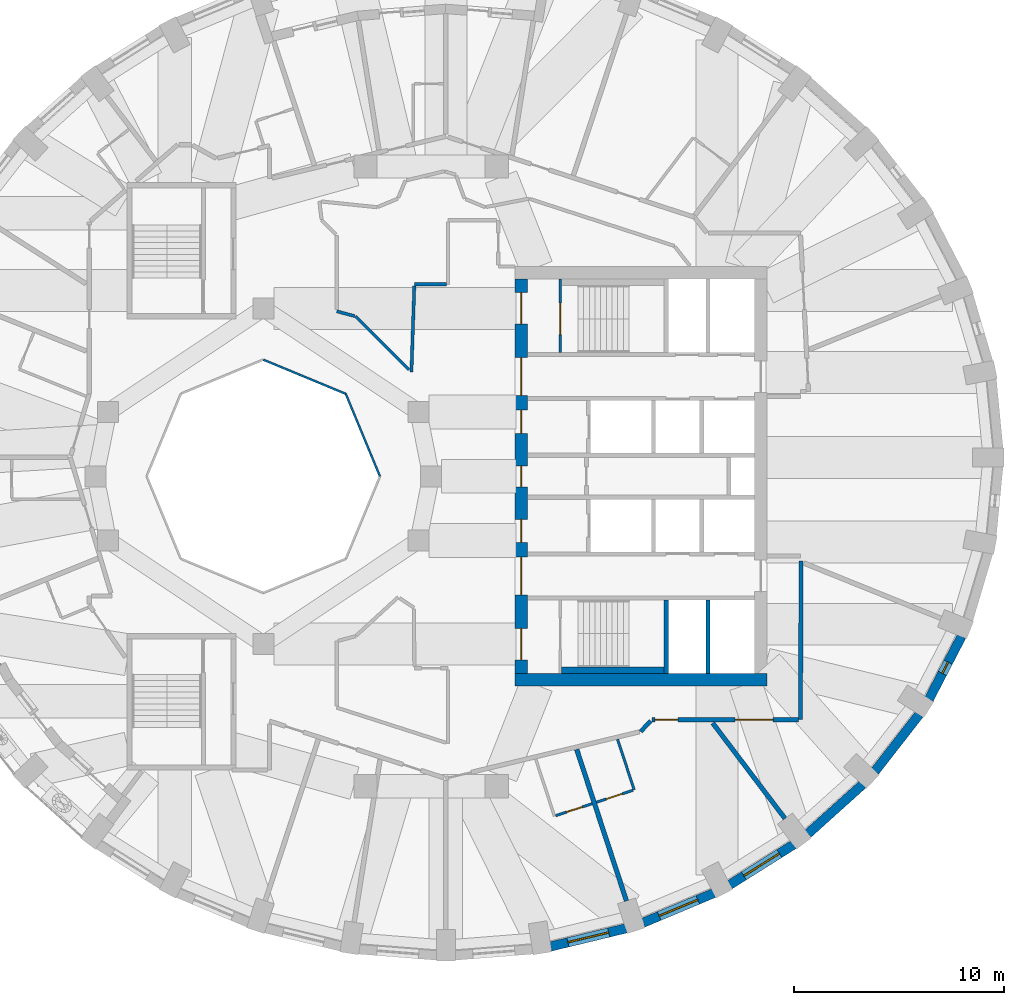
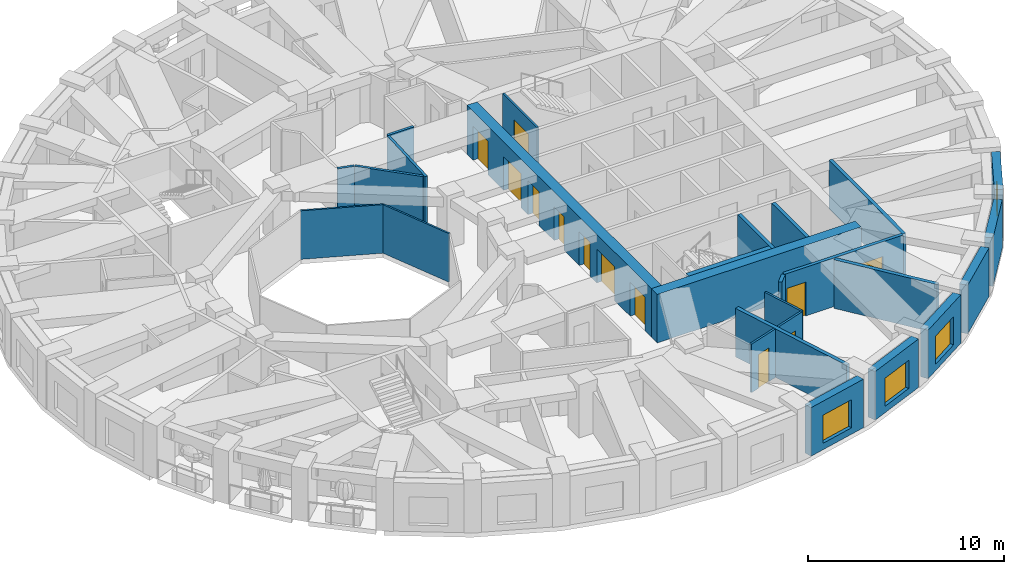
# One storey, part 5 of 12: 26 walls, 12 doors, 4 windows, 16 openings.
"""IFC4 building model written with IfcOpenShell, lengths in metres."""

from ifc_helpers import new_model, si_unit, direction, frame, frame_2d, origin, place, context, subcontext, project, spatial, rectangle, extrude, material, layer, layer_set, type_object, element, fill, save


model = new_model("IFC4")

# Units and contexts
model_context = context("Model", 3, precision=1e-05, world=origin(), true_north=direction((0.0, 1.0)))
body_context = subcontext(model_context, "Body", "Model", "MODEL_VIEW")
ifc_project = project(units=[si_unit("LENGTHUNIT", "METRE"), si_unit("AREAUNIT", "SQUARE_METRE"), si_unit("VOLUMEUNIT", "CUBIC_METRE"), si_unit("PLANEANGLEUNIT", "RADIAN"), si_unit("MASSUNIT", "GRAM", prefix="KILO")], contexts=[model_context])

# Site, building, storey
site_placement = place(None, origin())
site = spatial("IfcSite", under=ifc_project, at=site_placement, CompositionType="ELEMENT")
building_placement = place(site_placement, origin())
building = spatial("IfcBuilding", under=site, at=building_placement, Name="Taillehof Tower", CompositionType="ELEMENT")
storey_placement = place(building_placement, frame((0.0, 0.0, 222.199951171875)))
storey = spatial("IfcBuildingStorey", under=building, at=storey_placement, Name="L63", CompositionType="ELEMENT", Elevation=222.199951171875)

# Walls
ifc_material_1 = material(Name="Fire-resisting glass in steel frame", Category="steel")
ifc_layer_1 = layer(ifc_material_1, 0.10009765625)
ifc_layer_set_1 = layer_set([ifc_layer_1], Name="Atrium fire-resisting screen EI 60 100")
wall_type_1 = type_object("IfcWallType", Name="Atrium fire-resisting screen EI 60 100", PredefinedType="PARTITIONING", material=ifc_layer_set_1)
for number, where, z_axis, x_axis, name in (
    (1, (-8.0, 5.55419921875, 0.0), (0.0, 0.0, 1.0), (0.923860025149, -0.382730523909, 0.0), "Atrium screen"),
    (2, (-4.07275390625, 3.92724609375, 0.0), (0.0, 0.0, 1.0), (0.382730523909, -0.923860025149, 0.0), "Atrium screen"),
):
    element("IfcWall", number, at=place(storey_placement, frame(where, z_axis=z_axis, x_axis=x_axis)), inside=storey, type_object=wall_type_1, Name=name, PredefinedType="PARTITIONING", context=body_context, shape_type="SweptSolid", body=[
        extrude(rectangle(XDim=4.2509765625, YDim=0.10009765625, at=frame_2d((2.12548828125, 0.0))), origin(), (0.0, 0.0, 1.0), 3.02001953125),
    ])

# Wall, opening, window
ifc_material_2 = material(Name="Brick masonry", Category="masonry")
ifc_layer_2 = layer(ifc_material_2, 0.449951171875)
ifc_layer_set_2 = layer_set([ifc_layer_2], Name="Brick infill wall 450")
wall_type_2 = type_object("IfcWallType", Name="Brick infill wall 450", PredefinedType="SOLIDWALL", material=ifc_layer_set_2)
wall_1_placement = place(storey_placement, frame((5.690673828125, -22.41357421875, 0.0), z_axis=(0.0, 0.0, 1.0), x_axis=(0.9721584944, 0.234324266275, 0.0)))
wall_1 = element("IfcWall", 3, at=wall_1_placement, inside=storey, type_object=wall_type_2, Name="Brick wall L63 bay 29", PredefinedType="SOLIDWALL", context=body_context, shape_type="SweptSolid", body=[
    extrude(rectangle(XDim=3.69775390625, YDim=0.449951171875, at=frame_2d((1.848876953125, 0.0))), origin(), (0.0, 0.0, 1.0), 3.02001953125),
])
opening_1_placement = place(wall_1_placement, frame((0.848876953125, 0.0, 0.39990234375)))
opening_1 = element("IfcOpeningElement", 4, at=opening_1_placement, cuts=wall_1, Name="Opening W2", PredefinedType="OPENING", context=body_context, shape_type="SweptSolid", body=[
    extrude(rectangle(XDim=2.0, YDim=1.75, at=frame_2d((1.0, 0.875))), frame((0.0, 0.23486328125, 0.0), z_axis=(0.0, -1.0, 0.0), x_axis=(1.0, 0.0, 0.0)), (0.0, 0.0, 1.0), 0.469970703125),
])
ifc_material_3 = material(Name="Aluminium window frame with clear double glazing", Category="aluminium")
window_type_1 = type_object("IfcWindowType", Name="Deep-set window 2000x1750", PartitioningType="SINGLE_PANEL", PredefinedType="WINDOW", material=ifc_material_3)
window_1_placement = place(opening_1_placement, origin())
window_1 = element("IfcWindow", 5, at=window_1_placement, inside=storey, type_object=window_type_1, Name="W2", OverallHeight=1.75, OverallWidth=2.0, PartitioningType="SINGLE_PANEL", PredefinedType="WINDOW", context=body_context, shape_type="SweptSolid", body=[
    extrude(rectangle(XDim=2.0, YDim=1.75, at=frame_2d((1.0, 0.875))), frame((0.0, 0.034912109375, 0.0), z_axis=(0.0, -1.0, 0.0), x_axis=(1.0, 0.0, 0.0)), (0.0, 0.0, 1.0), 0.06005859375),
])
fill(opening_1, window_1)

wall_2_placement = place(storey_placement, frame((10.1025390625, -21.279052734375, 0.0), z_axis=(0.0, 0.0, 1.0), x_axis=(0.922168222612, 0.386789050006, 0.0)))
wall_2 = element("IfcWall", 6, at=wall_2_placement, inside=storey, type_object=wall_type_2, Name="Brick wall L63 bay 30", PredefinedType="SOLIDWALL", context=body_context, shape_type="SweptSolid", body=[
    extrude(rectangle(XDim=3.65087890625, YDim=0.449951171875, at=frame_2d((1.825439453125, 0.0))), origin(), (0.0, 0.0, 1.0), 3.02001953125),
])
opening_2_placement = place(wall_2_placement, frame((0.825439453125, 0.0, 0.39990234375)))
opening_2 = element("IfcOpeningElement", 7, at=opening_2_placement, cuts=wall_2, Name="Opening W2", PredefinedType="OPENING", context=body_context, shape_type="SweptSolid", body=[
    extrude(rectangle(XDim=2.0, YDim=1.75, at=frame_2d((1.0, 0.875))), frame((0.0, 0.23486328125, 0.0), z_axis=(0.0, -1.0, 0.0), x_axis=(1.0, 0.0, 0.0)), (0.0, 0.0, 1.0), 0.469970703125),
])
window_2_placement = place(opening_2_placement, origin())
window_2 = element("IfcWindow", 8, at=window_2_placement, inside=storey, type_object=window_type_1, Name="W2", OverallHeight=1.75, OverallWidth=2.0, PartitioningType="SINGLE_PANEL", PredefinedType="WINDOW", context=body_context, shape_type="SweptSolid", body=[
    extrude(rectangle(XDim=2.0, YDim=1.75, at=frame_2d((1.0, 0.875))), frame((0.0, 0.034912109375, 0.0), z_axis=(0.0, -1.0, 0.0), x_axis=(1.0, 0.0, 0.0)), (0.0, 0.0, 1.0), 0.06005859375),
])
fill(opening_2, window_2)

wall_3_placement = place(storey_placement, frame((14.232421875, -19.469970703125, 0.0), z_axis=(0.0, 0.0, 1.0), x_axis=(0.84614984472, 0.532945063098, 0.0)))
wall_3 = element("IfcWall", 9, at=wall_3_placement, inside=storey, type_object=wall_type_2, Name="Brick wall L63 bay 31", PredefinedType="SOLIDWALL", context=body_context, shape_type="SweptSolid", body=[
    extrude(rectangle(XDim=3.58642578125, YDim=0.449951171875, at=frame_2d((1.793212890625, 0.0))), origin(), (0.0, 0.0, 1.0), 3.02001953125),
])
opening_3_placement = place(wall_3_placement, frame((0.79345703125, 0.0, 0.39990234375)))
opening_3 = element("IfcOpeningElement", 10, at=opening_3_placement, cuts=wall_3, Name="Opening W2", PredefinedType="OPENING", context=body_context, shape_type="SweptSolid", body=[
    extrude(rectangle(XDim=2.0, YDim=1.75, at=frame_2d((1.0, 0.875))), frame((0.0, 0.23486328125, 0.0), z_axis=(0.0, -1.0, 0.0), x_axis=(1.0, 0.0, 0.0)), (0.0, 0.0, 1.0), 0.469970703125),
])
window_3_placement = place(opening_3_placement, origin())
window_3 = element("IfcWindow", 11, at=window_3_placement, inside=storey, type_object=window_type_1, Name="W2", OverallHeight=1.75, OverallWidth=2.0, PartitioningType="SINGLE_PANEL", PredefinedType="WINDOW", context=body_context, shape_type="SweptSolid", body=[
    extrude(rectangle(XDim=2.0, YDim=1.75, at=frame_2d((1.0, 0.875))), frame((0.0, 0.034912109375, 0.0), z_axis=(0.0, -1.0, 0.0), x_axis=(1.0, 0.0, 0.0)), (0.0, 0.0, 1.0), 0.06005859375),
])
fill(opening_3, window_3)

# Walls
wall_4_placement = place(storey_placement, frame((17.953369140625, -17.039794921875, 0.0), z_axis=(0.0, 0.0, 1.0), x_axis=(0.743442727602, 0.668799604348, 0.0)))
element("IfcWall", 12, at=wall_4_placement, inside=storey, type_object=wall_type_2, Name="Brick wall L63 bay 32", PredefinedType="SOLIDWALL", context=body_context, shape_type="SweptSolid", body=[
    extrude(rectangle(XDim=3.5126953125, YDim=0.449951171875, at=frame_2d((1.75634765625, 0.0))), origin(), (0.0, 0.0, 1.0), 3.02001953125),
])
wall_5_placement = place(storey_placement, frame((21.1513671875, -14.06103515625, 0.0), z_axis=(0.0, 0.0, 1.0), x_axis=(0.614255239631, 0.789107407509, 0.0)))
element("IfcWall", 13, at=wall_5_placement, inside=storey, type_object=wall_type_2, Name="Brick wall L63 bay 33", PredefinedType="SOLIDWALL", context=body_context, shape_type="SweptSolid", body=[
    extrude(rectangle(XDim=3.4375, YDim=0.449951171875, at=frame_2d((1.71875, 0.0))), origin(), (0.0, 0.0, 1.0), 3.02001953125),
])

# Wall, opening, window
wall_6_placement = place(storey_placement, frame((23.72705078125, -10.6240234375, 0.0), z_axis=(0.0, 0.0, 1.0), x_axis=(0.460175500475, 0.887827972505, 0.0)))
wall_6 = element("IfcWall", 14, at=wall_6_placement, inside=storey, type_object=wall_type_2, Name="Brick wall L63 bay 34", PredefinedType="SOLIDWALL", context=body_context, shape_type="SweptSolid", body=[
    extrude(rectangle(XDim=3.37060546875, YDim=0.449951171875, at=frame_2d((1.685302734375, 0.0))), origin(), (0.0, 0.0, 1.0), 3.02001953125),
])
opening_4_placement = place(wall_6_placement, frame((1.38525390625, 0.0, 0.39990234375)))
opening_4 = element("IfcOpeningElement", 15, at=opening_4_placement, cuts=wall_6, Name="Opening W6", PredefinedType="OPENING", context=body_context, shape_type="SweptSolid", body=[
    extrude(rectangle(XDim=0.60009765625, YDim=1.75, at=frame_2d((0.300048828125, 0.875))), frame((0.0, 0.23486328125, 0.0), z_axis=(0.0, -1.0, 0.0), x_axis=(1.0, 0.0, 0.0)), (0.0, 0.0, 1.0), 0.469970703125),
])
ifc_material_4 = material(Name="Aluminium window frame with clear double glazing", Category="aluminium")
window_type_2 = type_object("IfcWindowType", Name="Slot window 600x1750", PartitioningType="SINGLE_PANEL", PredefinedType="WINDOW", material=ifc_material_4)
window_4_placement = place(opening_4_placement, origin())
window_4 = element("IfcWindow", 16, at=window_4_placement, inside=storey, type_object=window_type_2, Name="W6", OverallHeight=1.75, OverallWidth=0.60009765625, PartitioningType="SINGLE_PANEL", PredefinedType="WINDOW", context=body_context, shape_type="SweptSolid", body=[
    extrude(rectangle(XDim=0.60009765625, YDim=1.75, at=frame_2d((0.300048828125, 0.875))), frame((0.0, 0.034912109375, 0.0), z_axis=(0.0, -1.0, 0.0), x_axis=(1.0, 0.0, 0.0)), (0.0, 0.0, 1.0), 0.06005859375),
])
fill(opening_4, window_4)

# Wall
ifc_material_5 = material(Name="Gypsum board on steel studs, two layers each side", Category="steel")
ifc_layer_3 = layer(ifc_material_5, 0.199951171875)
ifc_layer_set_3 = layer_set([ifc_layer_3], Name="Compartment wall corridor 200")
wall_type_3 = type_object("IfcWallType", Name="Compartment wall corridor 200", PredefinedType="PARTITIONING", material=ifc_layer_set_3)
wall_7_placement = place(storey_placement, frame((17.629638671875, -4.042724609375, 0.0), z_axis=(0.0, 0.0, 1.0), x_axis=(-0.003908870153, -0.999992360338, 0.0)))
element("IfcWall", 17, at=wall_7_placement, inside=storey, type_object=wall_type_3, Name="Compartment wall", PredefinedType="PARTITIONING", context=body_context, shape_type="SweptSolid", body=[
    extrude(rectangle(XDim=7.557373046875, YDim=0.199951171875, at=frame_2d((3.77880859375, 0.0))), origin(), (0.0, 0.0, 1.0), 3.02001953125),
])

# Wall, openings, doors
wall_8_placement = place(storey_placement, frame((17.5, -11.60009765625, 0.0), z_axis=(0.0, 0.0, 1.0), x_axis=(-1.0, 0.0, 0.0)))
wall_8 = element("IfcWall", 18, at=wall_8_placement, inside=storey, type_object=wall_type_3, Name="Compartment wall", PredefinedType="PARTITIONING", context=body_context, shape_type="SweptSolid", body=[
    extrude(rectangle(XDim=6.9833984375, YDim=0.199951171875, at=frame_2d((3.49169921875, 0.0))), origin(), (0.0, 0.0, 1.0), 3.02001953125),
])
opening_5_placement = place(wall_8_placement, frame((5.743408203125, 0.0, 0.0)))
opening_5 = element("IfcOpeningElement", 19, at=opening_5_placement, cuts=wall_8, Name="Opening D6363", PredefinedType="OPENING", context=body_context, shape_type="SweptSolid", body=[
    extrude(rectangle(XDim=1.10009765625, YDim=2.10009765625, at=frame_2d((0.550048828125, 1.050048828125))), frame((0.0, 0.10986328125, 0.0), z_axis=(0.0, -1.0, 0.0), x_axis=(1.0, 0.0, 0.0)), (0.0, 0.0, 1.0), 0.219970703125),
])
opening_6_placement = place(wall_8_placement, frame((1.20849609375, 0.0, 0.0)))
opening_6 = element("IfcOpeningElement", 20, at=opening_6_placement, cuts=wall_8, Name="Opening D6365", PredefinedType="OPENING", context=body_context, shape_type="SweptSolid", body=[
    extrude(rectangle(XDim=1.800048828125, YDim=2.10009765625, at=frame_2d((0.89990234375, 1.050048828125))), frame((0.0, 0.10986328125, 0.0), z_axis=(0.0, -1.0, 0.0), x_axis=(1.0, 0.0, 0.0)), (0.0, 0.0, 1.0), 0.219970703125),
])
ifc_material_6 = material(Name="Timber door leaf in steel frame", Category="steel")
door_type_1 = type_object("IfcDoorType", Name="Lounge and meeting room double door EI 30 1800 x 2100", OperationType="SINGLE_SWING_LEFT", PredefinedType="DOOR", material=ifc_material_6)
door_1_placement = place(opening_6_placement, origin())
door_1 = element("IfcDoor", 21, at=door_1_placement, inside=storey, type_object=door_type_1, Name="D6365", OperationType="DOUBLE_DOOR_SINGLE_SWING", OverallHeight=2.10009765625, OverallWidth=1.800048828125, PredefinedType="DOOR", context=body_context, shape_type="SweptSolid", body=[
    extrude(rectangle(XDim=1.800048828125, YDim=2.10009765625, at=frame_2d((0.89990234375, 1.050048828125))), frame((0.0, 0.02490234375, 0.0), z_axis=(0.0, -1.0, 0.0), x_axis=(1.0, 0.0, 0.0)), (0.0, 0.0, 1.0), 0.050048828125),
])
fill(opening_6, door_1)
ifc_material_7 = material(Name="Timber door leaf in steel frame", Category="steel")
door_type_2 = type_object("IfcDoorType", Name="Suite entrance door EI 30 1100 x 2100", OperationType="SINGLE_SWING_LEFT", PredefinedType="DOOR", material=ifc_material_7)
door_2_placement = place(opening_5_placement, origin())
door_2 = element("IfcDoor", 22, at=door_2_placement, inside=storey, type_object=door_type_2, Name="D6363", OperationType="SINGLE_SWING_RIGHT", OverallHeight=2.10009765625, OverallWidth=1.10009765625, PredefinedType="DOOR", context=body_context, shape_type="SweptSolid", body=[
    extrude(rectangle(XDim=1.10009765625, YDim=2.10009765625, at=frame_2d((0.550048828125, 1.050048828125))), frame((0.0, 0.02490234375, 0.0), z_axis=(0.0, -1.0, 0.0), x_axis=(1.0, 0.0, 0.0)), (0.0, 0.0, 1.0), 0.050048828125),
])
fill(opening_5, door_2)

# Walls
wall_9_placement = place(storey_placement, frame((10.4619140625, -11.65869140625, 0.0), z_axis=(0.0, 0.0, 1.0), x_axis=(-0.686265612426, -0.727351021998, 0.0)))
element("IfcWall", 23, at=wall_9_placement, inside=storey, type_object=wall_type_3, Name="Compartment wall", PredefinedType="PARTITIONING", context=body_context, shape_type="SweptSolid", body=[
    extrude(rectangle(XDim=0.701171875, YDim=0.199951171875, at=frame_2d((0.3505859375, 0.0))), origin(), (0.0, 0.0, 1.0), 3.02001953125),
])
ifc_material_8 = material(Name="Gypsum board on double steel studs with mineral wool", Category="steel")
ifc_layer_4 = layer(ifc_material_8, 0.219970703125)
ifc_layer_set_4 = layer_set([ifc_layer_4], Name="Compartment wall guest room 220")
wall_type_4 = type_object("IfcWallType", Name="Compartment wall guest room 220", PredefinedType="PARTITIONING", material=ifc_layer_set_4)
wall_10_placement = place(storey_placement, frame((9.30712890625, -20.2353515625, 0.0), z_axis=(0.0, 0.0, 1.0), x_axis=(-0.311979110549, 0.950088961404, 0.0)))
element("IfcWall", 24, at=wall_10_placement, inside=storey, type_object=wall_type_4, Name="Compartment wall", PredefinedType="PARTITIONING", context=body_context, shape_type="SweptSolid", body=[
    extrude(rectangle(XDim=7.5908203125, YDim=0.219970703125, at=frame_2d((3.79541015625, 0.0))), origin(), (0.0, 0.0, 1.0), 3.02001953125),
])
wall_11_placement = place(storey_placement, frame((16.86328125, -16.3125, 0.0), z_axis=(0.0, 0.0, 1.0), x_axis=(-0.603636051313, 0.797260006243, 0.0)))
element("IfcWall", 25, at=wall_11_placement, inside=storey, type_object=wall_type_4, Name="Compartment wall", PredefinedType="PARTITIONING", context=body_context, shape_type="SweptSolid", body=[
    extrude(rectangle(XDim=5.70556640625, YDim=0.219970703125, at=frame_2d((2.852783203125, 0.0))), origin(), (0.0, 0.0, 1.0), 3.02001953125),
])
ifc_material_9 = material(Name="Calcium silicate masonry", Category="masonry")
ifc_layer_5 = layer(ifc_material_9, 0.300048828125)
ifc_layer_set_5 = layer_set([ifc_layer_5], Name="Compartment wall lining calcium silicate 300")
wall_type_5 = type_object("IfcWallType", Name="Compartment wall lining calcium silicate 300", PredefinedType="PARTITIONING", material=ifc_layer_set_5)
wall_12_placement = place(storey_placement, frame((6.219970703125, -9.25, 0.0), z_axis=(0.0, 0.0, 1.0), x_axis=(1.0, 0.0, 0.0)))
element("IfcWall", 26, at=wall_12_placement, inside=storey, type_object=wall_type_5, Name="Compartment wall FW", PredefinedType="PARTITIONING", context=body_context, shape_type="SweptSolid", body=[
    extrude(rectangle(XDim=4.880126953125, YDim=0.300048828125, at=frame_2d((2.43994140625, 0.0))), origin(), (0.0, 0.0, 1.0), 3.02001953125),
])
ifc_material_10 = material(Name="Gypsum board on steel studs, two layers each side", Category="steel")
ifc_layer_6 = layer(ifc_material_10, 0.14990234375)
ifc_layer_set_6 = layer_set([ifc_layer_6], Name="Compartment wall service room 150")
wall_type_6 = type_object("IfcWallType", Name="Compartment wall service room 150", PredefinedType="PARTITIONING", material=ifc_layer_set_6)
wall_13_placement = place(storey_placement, frame((0.719970703125, 9.14990234375, 0.0), z_axis=(0.0, 0.0, 1.0), x_axis=(-1.0, 0.0, 0.0)))
element("IfcWall", 27, at=wall_13_placement, inside=storey, type_object=wall_type_6, Name="Compartment wall", PredefinedType="PARTITIONING", context=body_context, shape_type="SweptSolid", body=[
    extrude(rectangle(XDim=1.52001953125, YDim=0.14990234375, at=frame_2d((0.760009765625, 0.0))), origin(), (0.0, 0.0, 1.0), 3.02001953125),
])
wall_14_placement = place(storey_placement, frame((-0.802978515625, 9.06982421875, 0.0), z_axis=(0.0, 0.0, 1.0), x_axis=(-0.033496761224, -0.999438826036, 0.0)))
element("IfcWall", 28, at=wall_14_placement, inside=storey, type_object=wall_type_6, Name="Compartment wall", PredefinedType="PARTITIONING", context=body_context, shape_type="SweptSolid", body=[
    extrude(rectangle(XDim=4.110595703125, YDim=0.14990234375, at=frame_2d((2.05517578125, 0.0))), origin(), (0.0, 0.0, 1.0), 3.02001953125),
])
wall_15_placement = place(storey_placement, frame((-1.053955078125, 5.07470703125, 0.0), z_axis=(0.0, 0.0, 1.0), x_axis=(-0.707106781187, 0.707106781187, 0.0)))
element("IfcWall", 29, at=wall_15_placement, inside=storey, type_object=wall_type_6, Name="Compartment wall", PredefinedType="PARTITIONING", context=body_context, shape_type="SweptSolid", body=[
    extrude(rectangle(XDim=3.600830078125, YDim=0.14990234375, at=frame_2d((1.80029296875, 0.0))), origin(), (0.0, 0.0, 1.0), 3.02001953125),
])
wall_16_placement = place(storey_placement, frame((-3.638671875, 7.631103515625, 0.0), z_axis=(0.0, 0.0, 1.0), x_axis=(-0.965879594242, 0.258991523853, 0.0)))
element("IfcWall", 30, at=wall_16_placement, inside=storey, type_object=wall_type_6, Name="Compartment wall", PredefinedType="PARTITIONING", context=body_context, shape_type="SweptSolid", body=[
    extrude(rectangle(XDim=0.891845703125, YDim=0.14990234375, at=frame_2d((0.44580078125, 0.0))), origin(), (0.0, 0.0, 1.0), 3.02001953125),
])

# Wall, openings, doors
ifc_material_11 = material(Name="Concrete C80/95", Category="concrete")
ifc_layer_7 = layer(ifc_material_11, 0.60009765625)
ifc_layer_set_7 = layer_set([ifc_layer_7], Name="Core wall C80/95 600")
wall_type_7 = type_object("IfcWallType", Name="Core wall C80/95 600", PredefinedType="SHEAR", material=ifc_layer_set_7)
wall_17_placement = place(storey_placement, frame((4.300048828125, -9.39990234375, 0.0), z_axis=(0.0, 0.0, 1.0), x_axis=(0.0, 1.0, 0.0)))
wall_17 = element("IfcWall", 31, at=wall_17_placement, inside=storey, type_object=wall_type_7, Name="Core wall CW01", PredefinedType="SHEAR", context=body_context, shape_type="SweptSolid", body=[
    extrude(rectangle(XDim=18.7998046875, YDim=0.60009765625, at=frame_2d((9.39990234375, 0.0))), origin(), (0.0, 0.0, 1.0), 3.02001953125),
])
opening_7_placement = place(wall_17_placement, frame((0.64990234375, 0.0, 0.0)))
opening_7 = element("IfcOpeningElement", 32, at=opening_7_placement, cuts=wall_17, Name="Opening D6301", PredefinedType="OPENING", context=body_context, shape_type="SweptSolid", body=[
    extrude(rectangle(XDim=1.5, YDim=2.10009765625, at=frame_2d((0.75, 1.050048828125))), frame((0.0, 0.31005859375, 0.0), z_axis=(0.0, -1.0, 0.0), x_axis=(1.0, 0.0, 0.0)), (0.0, 0.0, 1.0), 0.6201171875),
])
opening_8_placement = place(wall_17_placement, frame((3.75, 0.0, 0.0)))
opening_8 = element("IfcOpeningElement", 33, at=opening_8_placement, cuts=wall_17, Name="Opening D6302", PredefinedType="OPENING", context=body_context, shape_type="SweptSolid", body=[
    extrude(rectangle(XDim=1.800048828125, YDim=2.10009765625, at=frame_2d((0.89990234375, 1.050048828125))), frame((0.0, 0.31005859375, 0.0), z_axis=(0.0, -1.0, 0.0), x_axis=(1.0, 0.0, 0.0)), (0.0, 0.0, 1.0), 0.6201171875),
])
opening_9_placement = place(wall_17_placement, frame((6.25, 0.0, 0.0)))
opening_9 = element("IfcOpeningElement", 34, at=opening_9_placement, cuts=wall_17, Name="Opening D6303", PredefinedType="OPENING", context=body_context, shape_type="SweptSolid", body=[
    extrude(rectangle(XDim=1.10009765625, YDim=2.10009765625, at=frame_2d((0.550048828125, 1.050048828125))), frame((0.0, 0.31005859375, 0.0), z_axis=(0.0, -1.0, 0.0), x_axis=(1.0, 0.0, 0.0)), (0.0, 0.0, 1.0), 0.6201171875),
])
opening_10_placement = place(wall_17_placement, frame((8.89990234375, 0.0, 0.0)))
opening_10 = element("IfcOpeningElement", 35, at=opening_10_placement, cuts=wall_17, Name="Opening D6304", PredefinedType="OPENING", context=body_context, shape_type="SweptSolid", body=[
    extrude(rectangle(XDim=1.0, YDim=2.10009765625, at=frame_2d((0.5, 1.050048828125))), frame((0.0, 0.31005859375, 0.0), z_axis=(0.0, -1.0, 0.0), x_axis=(1.0, 0.0, 0.0)), (0.0, 0.0, 1.0), 0.6201171875),
])
opening_11_placement = place(wall_17_placement, frame((11.449951171875, 0.0, 0.0)))
opening_11 = element("IfcOpeningElement", 36, at=opening_11_placement, cuts=wall_17, Name="Opening D6305", PredefinedType="OPENING", context=body_context, shape_type="SweptSolid", body=[
    extrude(rectangle(XDim=1.10009765625, YDim=2.10009765625, at=frame_2d((0.550048828125, 1.050048828125))), frame((0.0, 0.31005859375, 0.0), z_axis=(0.0, -1.0, 0.0), x_axis=(1.0, 0.0, 0.0)), (0.0, 0.0, 1.0), 0.6201171875),
])
opening_12_placement = place(wall_17_placement, frame((13.25, 0.0, 0.0)))
opening_12 = element("IfcOpeningElement", 37, at=opening_12_placement, cuts=wall_17, Name="Opening D6306", PredefinedType="OPENING", context=body_context, shape_type="SweptSolid", body=[
    extrude(rectangle(XDim=1.800048828125, YDim=2.10009765625, at=frame_2d((0.89990234375, 1.050048828125))), frame((0.0, 0.31005859375, 0.0), z_axis=(0.0, -1.0, 0.0), x_axis=(1.0, 0.0, 0.0)), (0.0, 0.0, 1.0), 0.6201171875),
])
opening_13_placement = place(wall_17_placement, frame((16.64990234375, 0.0, 0.0)))
opening_13 = element("IfcOpeningElement", 38, at=opening_13_placement, cuts=wall_17, Name="Opening D6307", PredefinedType="OPENING", context=body_context, shape_type="SweptSolid", body=[
    extrude(rectangle(XDim=1.5, YDim=2.10009765625, at=frame_2d((0.75, 1.050048828125))), frame((0.0, 0.31005859375, 0.0), z_axis=(0.0, -1.0, 0.0), x_axis=(1.0, 0.0, 0.0)), (0.0, 0.0, 1.0), 0.6201171875),
])
ifc_material_12 = material(Name="Steel-faced fire door", Category="steel")
door_type_3 = type_object("IfcDoorType", Name="Firefighting lobby door 1100x2100", OperationType="SINGLE_SWING_RIGHT", PredefinedType="DOOR", material=ifc_material_12)
door_3_placement = place(opening_9_placement, origin())
door_3 = element("IfcDoor", 39, at=door_3_placement, inside=storey, type_object=door_type_3, Name="Firefighting lobby door FFL-S", OperationType="SINGLE_SWING_RIGHT", OverallHeight=2.10009765625, OverallWidth=1.10009765625, PredefinedType="DOOR", context=body_context, shape_type="SweptSolid", body=[
    extrude(rectangle(XDim=1.10009765625, YDim=2.10009765625, at=frame_2d((0.550048828125, 1.050048828125))), frame((0.0, 0.02490234375, 0.0), z_axis=(0.0, -1.0, 0.0), x_axis=(1.0, 0.0, 0.0)), (0.0, 0.0, 1.0), 0.050048828125),
])
fill(opening_9, door_3)
door_4_placement = place(opening_11_placement, origin())
door_4 = element("IfcDoor", 40, at=door_4_placement, inside=storey, type_object=door_type_3, Name="Firefighting lobby door FFL-N", OperationType="SINGLE_SWING_LEFT", OverallHeight=2.10009765625, OverallWidth=1.10009765625, PredefinedType="DOOR", context=body_context, shape_type="SweptSolid", body=[
    extrude(rectangle(XDim=1.10009765625, YDim=2.10009765625, at=frame_2d((0.550048828125, 1.050048828125))), frame((0.0, 0.02490234375, 0.0), z_axis=(0.0, -1.0, 0.0), x_axis=(1.0, 0.0, 0.0)), (0.0, 0.0, 1.0), 0.050048828125),
])
fill(opening_11, door_4)
ifc_material_13 = material(Name="Steel-faced fire door", Category="steel")
door_type_4 = type_object("IfcDoorType", Name="Lift lobby door 1800x2100", OperationType="DOUBLE_DOOR_SINGLE_SWING", PredefinedType="DOOR", material=ifc_material_13)
door_5_placement = place(opening_8_placement, origin())
door_5 = element("IfcDoor", 41, at=door_5_placement, inside=storey, type_object=door_type_4, Name="Lift lobby door LL-S", OperationType="DOUBLE_DOOR_SINGLE_SWING", OverallHeight=2.10009765625, OverallWidth=1.800048828125, PredefinedType="DOOR", context=body_context, shape_type="SweptSolid", body=[
    extrude(rectangle(XDim=1.800048828125, YDim=2.10009765625, at=frame_2d((0.89990234375, 1.050048828125))), frame((0.0, 0.02490234375, 0.0), z_axis=(0.0, -1.0, 0.0), x_axis=(1.0, 0.0, 0.0)), (0.0, 0.0, 1.0), 0.050048828125),
])
fill(opening_8, door_5)
door_6_placement = place(opening_12_placement, origin())
door_6 = element("IfcDoor", 42, at=door_6_placement, inside=storey, type_object=door_type_4, Name="Lift lobby door LL-N", OperationType="DOUBLE_DOOR_SINGLE_SWING", OverallHeight=2.10009765625, OverallWidth=1.800048828125, PredefinedType="DOOR", context=body_context, shape_type="SweptSolid", body=[
    extrude(rectangle(XDim=1.800048828125, YDim=2.10009765625, at=frame_2d((0.89990234375, 1.050048828125))), frame((0.0, 0.02490234375, 0.0), z_axis=(0.0, -1.0, 0.0), x_axis=(1.0, 0.0, 0.0)), (0.0, 0.0, 1.0), 0.050048828125),
])
fill(opening_12, door_6)
ifc_material_14 = material(Name="Steel-faced fire door", Category="steel")
door_type_5 = type_object("IfcDoorType", Name="Service door 1000x2100", OperationType="SINGLE_SWING_RIGHT", PredefinedType="DOOR", material=ifc_material_14)
door_7_placement = place(opening_10_placement, origin())
door_7 = element("IfcDoor", 43, at=door_7_placement, inside=storey, type_object=door_type_5, Name="Service door SV", OperationType="SINGLE_SWING_RIGHT", OverallHeight=2.10009765625, OverallWidth=1.0, PredefinedType="DOOR", context=body_context, shape_type="SweptSolid", body=[
    extrude(rectangle(XDim=1.0, YDim=2.10009765625, at=frame_2d((0.5, 1.050048828125))), frame((0.0, 0.02490234375, 0.0), z_axis=(0.0, -1.0, 0.0), x_axis=(1.0, 0.0, 0.0)), (0.0, 0.0, 1.0), 0.050048828125),
])
fill(opening_10, door_7)
ifc_material_15 = material(Name="Steel-faced fire door", Category="steel")
door_type_6 = type_object("IfcDoorType", Name="Stair door 1500x2100", OperationType="DOUBLE_DOOR_SINGLE_SWING", PredefinedType="DOOR", material=ifc_material_15)
door_8_placement = place(opening_7_placement, origin())
door_8 = element("IfcDoor", 44, at=door_8_placement, inside=storey, type_object=door_type_6, Name="Stair door S2", OperationType="DOUBLE_DOOR_SINGLE_SWING", OverallHeight=2.10009765625, OverallWidth=1.5, PredefinedType="DOOR", context=body_context, shape_type="SweptSolid", body=[
    extrude(rectangle(XDim=1.5, YDim=2.10009765625, at=frame_2d((0.75, 1.050048828125))), frame((0.0, 0.02490234375, 0.0), z_axis=(0.0, -1.0, 0.0), x_axis=(1.0, 0.0, 0.0)), (0.0, 0.0, 1.0), 0.050048828125),
])
fill(opening_7, door_8)
door_9_placement = place(opening_13_placement, origin())
door_9 = element("IfcDoor", 45, at=door_9_placement, inside=storey, type_object=door_type_6, Name="Stair door S1", OperationType="DOUBLE_DOOR_SINGLE_SWING", OverallHeight=2.10009765625, OverallWidth=1.5, PredefinedType="DOOR", context=body_context, shape_type="SweptSolid", body=[
    extrude(rectangle(XDim=1.5, YDim=2.10009765625, at=frame_2d((0.75, 1.050048828125))), frame((0.0, 0.02490234375, 0.0), z_axis=(0.0, -1.0, 0.0), x_axis=(1.0, 0.0, 0.0)), (0.0, 0.0, 1.0), 0.050048828125),
])
fill(opening_13, door_9)

# Walls
wall_18_placement = place(storey_placement, frame((4.0, -9.699951171875, 0.0), z_axis=(0.0, 0.0, 1.0), x_axis=(1.0, 0.0, 0.0)))
element("IfcWall", 46, at=wall_18_placement, inside=storey, type_object=wall_type_7, Name="Core wall CW07", PredefinedType="SHEAR", context=body_context, shape_type="SweptSolid", body=[
    extrude(rectangle(XDim=12.0, YDim=0.60009765625, at=frame_2d((6.0, 0.0))), origin(), (0.0, 0.0, 1.0), 3.02001953125),
])
ifc_material_16 = material(Name="Gypsum board on steel studs, moisture resistant", Category="steel")
ifc_layer_8 = layer(ifc_material_16, 0.1201171875)
ifc_layer_set_8 = layer_set([ifc_layer_8], Name="En-suite wall 120")
wall_type_8 = type_object("IfcWallType", Name="En-suite wall 120", PredefinedType="PARTITIONING", material=ifc_layer_set_8)
wall_19_placement = place(storey_placement, frame((8.883544921875, -12.535400390625, 0.0), z_axis=(0.0, 0.0, 1.0), x_axis=(0.312037873477, -0.950069663507, 0.0)))
element("IfcWall", 47, at=wall_19_placement, inside=storey, type_object=wall_type_8, Name="En-suite wall", PredefinedType="PARTITIONING", context=body_context, shape_type="SweptSolid", body=[
    extrude(rectangle(XDim=2.53662109375, YDim=0.1201171875, at=frame_2d((1.268310546875, 0.0))), origin(), (0.0, 0.0, 1.0), 3.02001953125),
])

# Wall, opening, door
wall_20_placement = place(storey_placement, frame((5.931884765625, -16.17431640625, 0.0), z_axis=(0.0, 0.0, 1.0), x_axis=(0.950140787885, 0.311821235962, 0.0)))
wall_20 = element("IfcWall", 48, at=wall_20_placement, inside=storey, type_object=wall_type_8, Name="En-suite wall", PredefinedType="PARTITIONING", context=body_context, shape_type="SweptSolid", body=[
    extrude(rectangle(XDim=1.829833984375, YDim=0.1201171875, at=frame_2d((0.9150390625, 0.0))), origin(), (0.0, 0.0, 1.0), 3.02001953125),
])
opening_14_placement = place(wall_20_placement, frame((0.539794921875, 0.0, 0.0)))
opening_14 = element("IfcOpeningElement", 49, at=opening_14_placement, cuts=wall_20, Name="Opening D6362", PredefinedType="OPENING", context=body_context, shape_type="SweptSolid", body=[
    extrude(rectangle(XDim=0.800048828125, YDim=2.10009765625, at=frame_2d((0.39990234375, 1.050048828125))), frame((0.0, 0.070068359375, 0.0), z_axis=(0.0, -1.0, 0.0), x_axis=(1.0, 0.0, 0.0)), (0.0, 0.0, 1.0), 0.14013671875),
])
ifc_material_17 = material(Name="Timber door leaf in steel frame", Category="steel")
door_type_7 = type_object("IfcDoorType", Name="En-suite door 800 x 2100", OperationType="SINGLE_SWING_LEFT", PredefinedType="DOOR", material=ifc_material_17)
door_10_placement = place(opening_14_placement, origin())
door_10 = element("IfcDoor", 50, at=door_10_placement, inside=storey, type_object=door_type_7, Name="D6362", OperationType="SINGLE_SWING_RIGHT", OverallHeight=2.10009765625, OverallWidth=0.800048828125, PredefinedType="DOOR", context=body_context, shape_type="SweptSolid", body=[
    extrude(rectangle(XDim=0.800048828125, YDim=2.10009765625, at=frame_2d((0.39990234375, 1.050048828125))), frame((0.0, 0.02490234375, 0.0), z_axis=(0.0, -1.0, 0.0), x_axis=(1.0, 0.0, 0.0)), (0.0, 0.0, 1.0), 0.050048828125),
])
fill(opening_14, door_10)

wall_21_placement = place(storey_placement, frame((9.617919921875, -14.96435546875, 0.0), z_axis=(0.0, 0.0, 1.0), x_axis=(-0.950140787885, -0.311821235962, 0.0)))
wall_21 = element("IfcWall", 51, at=wall_21_placement, inside=storey, type_object=wall_type_8, Name="En-suite wall", PredefinedType="PARTITIONING", context=body_context, shape_type="SweptSolid", body=[
    extrude(rectangle(XDim=1.829833984375, YDim=0.1201171875, at=frame_2d((0.9150390625, 0.0))), origin(), (0.0, 0.0, 1.0), 3.02001953125),
])
opening_15_placement = place(wall_21_placement, frame((0.539794921875, 0.0, 0.0)))
opening_15 = element("IfcOpeningElement", 52, at=opening_15_placement, cuts=wall_21, Name="Opening D6364", PredefinedType="OPENING", context=body_context, shape_type="SweptSolid", body=[
    extrude(rectangle(XDim=0.800048828125, YDim=2.10009765625, at=frame_2d((0.39990234375, 1.050048828125))), frame((0.0, 0.070068359375, 0.0), z_axis=(0.0, -1.0, 0.0), x_axis=(1.0, 0.0, 0.0)), (0.0, 0.0, 1.0), 0.14013671875),
])
door_11_placement = place(opening_15_placement, origin())
door_11 = element("IfcDoor", 53, at=door_11_placement, inside=storey, type_object=door_type_7, Name="D6364", OperationType="SINGLE_SWING_LEFT", OverallHeight=2.10009765625, OverallWidth=0.800048828125, PredefinedType="DOOR", context=body_context, shape_type="SweptSolid", body=[
    extrude(rectangle(XDim=0.800048828125, YDim=2.10009765625, at=frame_2d((0.39990234375, 1.050048828125))), frame((0.0, 0.02490234375, 0.0), z_axis=(0.0, -1.0, 0.0), x_axis=(1.0, 0.0, 0.0)), (0.0, 0.0, 1.0), 0.050048828125),
])
fill(opening_15, door_11)

# Walls
ifc_material_18 = material(Name="Concrete C50/60", Category="concrete")
ifc_layer_9 = layer(ifc_material_18, 0.199951171875)
ifc_layer_set_9 = layer_set([ifc_layer_9], Name="Shaft wall C50/60 200")
wall_type_9 = type_object("IfcWallType", Name="Shaft wall C50/60 200", PredefinedType="SHEAR", material=ifc_layer_set_9)
for number, where, z_axis, x_axis, name in (
    (54, (11.199951171875, -9.39990234375, 0.0), (0.0, 0.0, 1.0), (0.0, 1.0, 0.0), "Shaft wall SW"),
    (55, (13.199951171875, -9.39990234375, 0.0), (0.0, 0.0, 1.0), (0.0, 1.0, 0.0), "Shaft wall SW"),
):
    element("IfcWall", number, at=place(storey_placement, frame(where, z_axis=z_axis, x_axis=x_axis)), inside=storey, type_object=wall_type_9, Name=name, PredefinedType="SHEAR", context=body_context, shape_type="SweptSolid", body=[
        extrude(rectangle(XDim=3.5, YDim=0.199951171875, at=frame_2d((1.75, 0.0))), origin(), (0.0, 0.0, 1.0), 3.02001953125),
    ])

# Wall, opening, door
ifc_material_19 = material(Name="Concrete C50/60", Category="concrete")
ifc_layer_10 = layer(ifc_material_19, 0.1201171875)
ifc_layer_set_10 = layer_set([ifc_layer_10], Name="Stair lobby wall C50/60 120")
wall_type_10 = type_object("IfcWallType", Name="Stair lobby wall C50/60 120", PredefinedType="SHEAR", material=ifc_layer_set_10)
wall_22_placement = place(storey_placement, frame((6.159912109375, 5.89990234375, 0.0), z_axis=(0.0, 0.0, 1.0), x_axis=(0.0, 1.0, 0.0)))
wall_22 = element("IfcWall", 56, at=wall_22_placement, inside=storey, type_object=wall_type_10, Name="Compartment wall SW", PredefinedType="SHEAR", context=body_context, shape_type="SweptSolid", body=[
    extrude(rectangle(XDim=3.5, YDim=0.1201171875, at=frame_2d((1.75, 0.0))), origin(), (0.0, 0.0, 1.0), 3.02001953125),
])
opening_16_placement = place(wall_22_placement, frame((0.85009765625, 0.0, 0.0)))
opening_16 = element("IfcOpeningElement", 57, at=opening_16_placement, cuts=wall_22, Name="Opening D6310", PredefinedType="OPENING", context=body_context, shape_type="SweptSolid", body=[
    extrude(rectangle(XDim=1.5, YDim=2.10009765625, at=frame_2d((0.75, 1.050048828125))), frame((0.0, 0.070068359375, 0.0), z_axis=(0.0, -1.0, 0.0), x_axis=(1.0, 0.0, 0.0)), (0.0, 0.0, 1.0), 0.14013671875),
])
door_12_placement = place(opening_16_placement, origin())
door_12 = element("IfcDoor", 58, at=door_12_placement, inside=storey, type_object=door_type_6, Name="Stair lobby door S1", OperationType="DOUBLE_DOOR_SINGLE_SWING", OverallHeight=2.10009765625, OverallWidth=1.5, PredefinedType="DOOR", context=body_context, shape_type="SweptSolid", body=[
    extrude(rectangle(XDim=1.5, YDim=2.10009765625, at=frame_2d((0.75, 1.050048828125))), frame((0.0, 0.02490234375, 0.0), z_axis=(0.0, -1.0, 0.0), x_axis=(1.0, 0.0, 0.0)), (0.0, 0.0, 1.0), 0.050048828125),
])
fill(opening_16, door_12)

save(model, "model.ifc")
